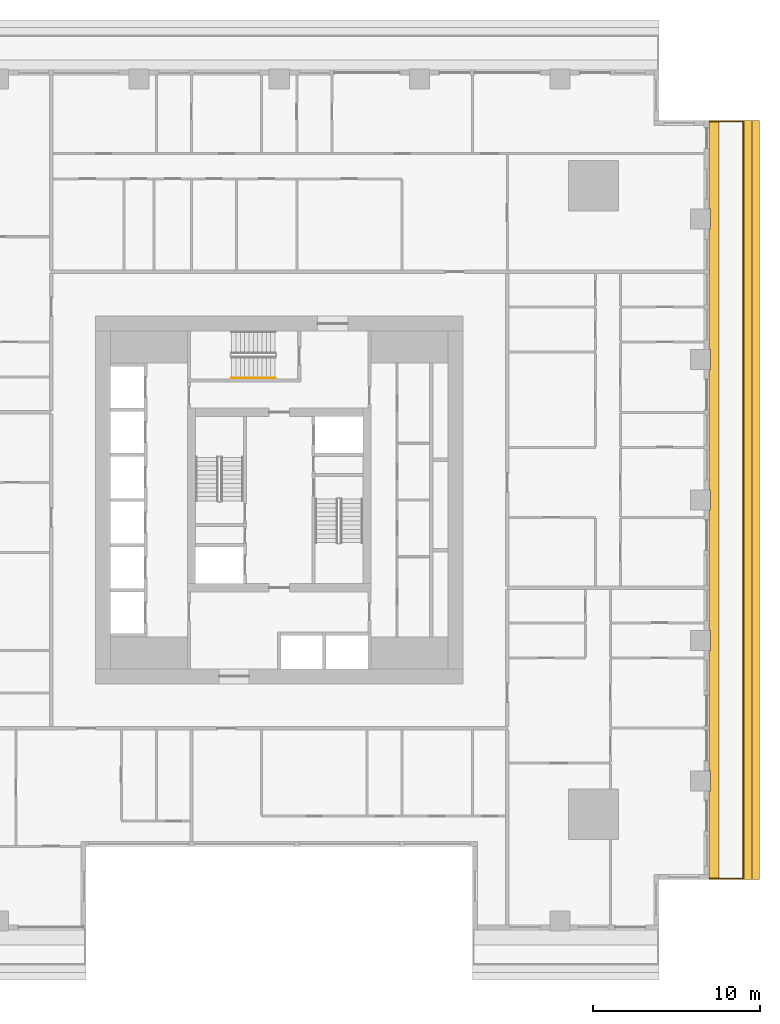
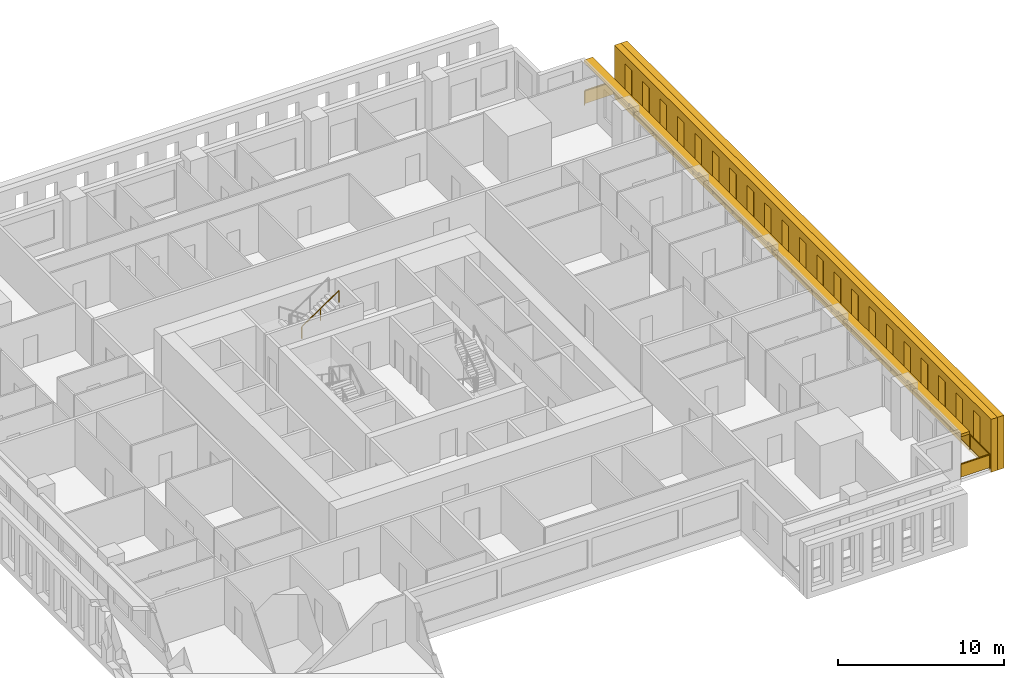
# One storey, part 12 of 14: 3 shading devices, 2 railings.
"""IFC4 building model written with IfcOpenShell, lengths in metres."""

from ifc_helpers import new_model, si_unit, direction, frame, origin, origin_2d, place, context, subcontext, project, spatial, polyline, rectangle, outline, extrude, material, layer, layer_set, type_object, element, save


model = new_model("IFC4")

# Units and contexts
model_context = context("Model", 3, precision=1e-05, world=origin(), true_north=direction((0.0, 1.0)))
body_context = subcontext(model_context, "Body", "Model", "MODEL_VIEW")
ifc_project = project(units=[si_unit("LENGTHUNIT", "METRE"), si_unit("AREAUNIT", "SQUARE_METRE"), si_unit("VOLUMEUNIT", "CUBIC_METRE"), si_unit("PLANEANGLEUNIT", "RADIAN"), si_unit("MASSUNIT", "GRAM", prefix="KILO")], contexts=[model_context])

# Site, building, storey
site_placement = place(None, origin())
site = spatial("IfcSite", under=ifc_project, at=site_placement, CompositionType="ELEMENT")
building_placement = place(site_placement, origin())
building = spatial("IfcBuilding", under=site, at=building_placement, Name="Khepri Terraces", CompositionType="ELEMENT")
storey_placement = place(building_placement, frame((0.0, 0.0, 62.10009765625)))
storey = spatial("IfcBuildingStorey", under=building, at=storey_placement, Name="L14", CompositionType="ELEMENT", Elevation=62.10009765625)

# Railings
ifc_material_1 = material(Name="Stainless steel grade 316", Category="steel")
railing_type_1 = type_object("IfcRailingType", Name="GRD-BAL-1100", PredefinedType="GUARDRAIL", material=ifc_material_1)
railing_1_placement = place(storey_placement, frame((25.719970703125, -22.669921875, 0.0)))
element("IfcRailing", 1, at=railing_1_placement, inside=storey, type_object=railing_type_1, Name="Balcony guard L14 E", PredefinedType="GUARDRAIL", context=body_context, shape_type="SweptSolid", body=[
    extrude(rectangle(XDim=0.050048828125, YDim=0.06005859375, at=origin_2d()), frame((0.0, 0.0, 1.070068359375), z_axis=(1.0, 0.0, 0.0), x_axis=(0.0, 1.0, 0.0)), (0.0, 0.0, 1.0), 2.050048828125),
    extrude(rectangle(XDim=2.0, YDim=0.011962890625, at=origin_2d()), frame((1.02490234375, 0.0, 0.10009765625), z_axis=(0.0, 0.0, 1.0), x_axis=(1.0, 0.0, 0.0)), (0.0, 0.0, 1.0), 0.93994140625),
    extrude(rectangle(XDim=0.050048828125, YDim=0.06005859375, at=origin_2d()), frame((2.050048828125, 0.0, 1.070068359375), z_axis=(0.0, 1.0, 0.0), x_axis=(-1.0, 0.0, 0.0)), (0.0, 0.0, 1.0), 45.33984375),
    extrude(rectangle(XDim=2.336181640625, YDim=0.011962890625, at=origin_2d()), frame((2.050048828125, 1.193115234375, 0.10009765625), z_axis=(0.0, 0.0, 1.0), x_axis=(0.0, 1.0, 0.0)), (0.0, 0.0, 1.0), 0.93994140625),
    extrude(rectangle(XDim=2.336181640625, YDim=0.011962890625, at=origin_2d()), frame((2.050048828125, 3.579345703125, 0.10009765625), z_axis=(0.0, 0.0, 1.0), x_axis=(0.0, 1.0, 0.0)), (0.0, 0.0, 1.0), 0.93994140625),
    extrude(rectangle(XDim=2.336181640625, YDim=0.011962890625, at=origin_2d()), frame((2.050048828125, 5.9658203125, 0.10009765625), z_axis=(0.0, 0.0, 1.0), x_axis=(0.0, 1.0, 0.0)), (0.0, 0.0, 1.0), 0.93994140625),
    extrude(rectangle(XDim=2.336181640625, YDim=0.011962890625, at=origin_2d()), frame((2.050048828125, 8.35205078125, 0.10009765625), z_axis=(0.0, 0.0, 1.0), x_axis=(0.0, 1.0, 0.0)), (0.0, 0.0, 1.0), 0.93994140625),
    extrude(rectangle(XDim=2.336181640625, YDim=0.011962890625, at=origin_2d()), frame((2.050048828125, 10.73828125, 0.10009765625), z_axis=(0.0, 0.0, 1.0), x_axis=(0.0, 1.0, 0.0)), (0.0, 0.0, 1.0), 0.93994140625),
    extrude(rectangle(XDim=2.336181640625, YDim=0.011962890625, at=origin_2d()), frame((2.050048828125, 13.124755859375, 0.10009765625), z_axis=(0.0, 0.0, 1.0), x_axis=(0.0, 1.0, 0.0)), (0.0, 0.0, 1.0), 0.93994140625),
    extrude(rectangle(XDim=2.336181640625, YDim=0.011962890625, at=origin_2d()), frame((2.050048828125, 15.510986328125, 0.10009765625), z_axis=(0.0, 0.0, 1.0), x_axis=(0.0, 1.0, 0.0)), (0.0, 0.0, 1.0), 0.93994140625),
    extrude(rectangle(XDim=2.336181640625, YDim=0.011962890625, at=origin_2d()), frame((2.050048828125, 17.897216796875, 0.10009765625), z_axis=(0.0, 0.0, 1.0), x_axis=(0.0, 1.0, 0.0)), (0.0, 0.0, 1.0), 0.93994140625),
    extrude(rectangle(XDim=2.336181640625, YDim=0.011962890625, at=origin_2d()), frame((2.050048828125, 20.28369140625, 0.10009765625), z_axis=(0.0, 0.0, 1.0), x_axis=(0.0, 1.0, 0.0)), (0.0, 0.0, 1.0), 0.93994140625),
    extrude(rectangle(XDim=2.336181640625, YDim=0.011962890625, at=origin_2d()), frame((2.050048828125, 22.669921875, 0.10009765625), z_axis=(0.0, 0.0, 1.0), x_axis=(0.0, 1.0, 0.0)), (0.0, 0.0, 1.0), 0.93994140625),
    extrude(rectangle(XDim=2.336181640625, YDim=0.011962890625, at=origin_2d()), frame((2.050048828125, 25.05615234375, 0.10009765625), z_axis=(0.0, 0.0, 1.0), x_axis=(0.0, 1.0, 0.0)), (0.0, 0.0, 1.0), 0.93994140625),
    extrude(rectangle(XDim=2.336181640625, YDim=0.011962890625, at=origin_2d()), frame((2.050048828125, 27.442626953125, 0.10009765625), z_axis=(0.0, 0.0, 1.0), x_axis=(0.0, 1.0, 0.0)), (0.0, 0.0, 1.0), 0.93994140625),
    extrude(rectangle(XDim=2.336181640625, YDim=0.011962890625, at=origin_2d()), frame((2.050048828125, 29.828857421875, 0.10009765625), z_axis=(0.0, 0.0, 1.0), x_axis=(0.0, 1.0, 0.0)), (0.0, 0.0, 1.0), 0.93994140625),
    extrude(rectangle(XDim=2.336181640625, YDim=0.011962890625, at=origin_2d()), frame((2.050048828125, 32.215087890625, 0.10009765625), z_axis=(0.0, 0.0, 1.0), x_axis=(0.0, 1.0, 0.0)), (0.0, 0.0, 1.0), 0.93994140625),
    extrude(rectangle(XDim=2.336181640625, YDim=0.011962890625, at=origin_2d()), frame((2.050048828125, 34.6015625, 0.10009765625), z_axis=(0.0, 0.0, 1.0), x_axis=(0.0, 1.0, 0.0)), (0.0, 0.0, 1.0), 0.93994140625),
    extrude(rectangle(XDim=2.336181640625, YDim=0.011962890625, at=origin_2d()), frame((2.050048828125, 36.98779296875, 0.10009765625), z_axis=(0.0, 0.0, 1.0), x_axis=(0.0, 1.0, 0.0)), (0.0, 0.0, 1.0), 0.93994140625),
    extrude(rectangle(XDim=2.336181640625, YDim=0.011962890625, at=origin_2d()), frame((2.050048828125, 39.3740234375, 0.10009765625), z_axis=(0.0, 0.0, 1.0), x_axis=(0.0, 1.0, 0.0)), (0.0, 0.0, 1.0), 0.93994140625),
    extrude(rectangle(XDim=2.336181640625, YDim=0.011962890625, at=origin_2d()), frame((2.050048828125, 41.760498046875, 0.10009765625), z_axis=(0.0, 0.0, 1.0), x_axis=(0.0, 1.0, 0.0)), (0.0, 0.0, 1.0), 0.93994140625),
    extrude(rectangle(XDim=2.336181640625, YDim=0.011962890625, at=origin_2d()), frame((2.050048828125, 44.146728515625, 0.10009765625), z_axis=(0.0, 0.0, 1.0), x_axis=(0.0, 1.0, 0.0)), (0.0, 0.0, 1.0), 0.93994140625),
    extrude(rectangle(XDim=0.050048828125, YDim=0.06005859375, at=origin_2d()), frame((2.050048828125, 45.33984375, 1.070068359375), z_axis=(-1.0, 0.0, 0.0), x_axis=(0.0, -1.0, 0.0)), (0.0, 0.0, 1.0), 2.050048828125),
    extrude(rectangle(XDim=2.0, YDim=0.011962890625, at=origin_2d()), frame((1.02490234375, 45.33984375, 0.10009765625), z_axis=(0.0, 0.0, 1.0), x_axis=(-1.0, 0.0, 0.0)), (0.0, 0.0, 1.0), 0.93994140625),
    extrude(rectangle(XDim=0.050048828125, YDim=0.050048828125, at=origin_2d()), origin(), (0.0, 0.0, 1.0), 1.0400390625),
    extrude(rectangle(XDim=0.050048828125, YDim=0.050048828125, at=origin_2d()), frame((2.050048828125, 0.0, 0.0)), (0.0, 0.0, 1.0), 1.0400390625),
    extrude(rectangle(XDim=0.050048828125, YDim=0.050048828125, at=origin_2d()), frame((2.050048828125, 2.38623046875, 0.0)), (0.0, 0.0, 1.0), 1.0400390625),
    extrude(rectangle(XDim=0.050048828125, YDim=0.050048828125, at=origin_2d()), frame((2.050048828125, 4.772705078125, 0.0)), (0.0, 0.0, 1.0), 1.0400390625),
    extrude(rectangle(XDim=0.050048828125, YDim=0.050048828125, at=origin_2d()), frame((2.050048828125, 7.158935546875, 0.0)), (0.0, 0.0, 1.0), 1.0400390625),
    extrude(rectangle(XDim=0.050048828125, YDim=0.050048828125, at=origin_2d()), frame((2.050048828125, 9.545166015625, 0.0)), (0.0, 0.0, 1.0), 1.0400390625),
    extrude(rectangle(XDim=0.050048828125, YDim=0.050048828125, at=origin_2d()), frame((2.050048828125, 11.931640625, 0.0)), (0.0, 0.0, 1.0), 1.0400390625),
    extrude(rectangle(XDim=0.050048828125, YDim=0.050048828125, at=origin_2d()), frame((2.050048828125, 14.31787109375, 0.0)), (0.0, 0.0, 1.0), 1.0400390625),
    extrude(rectangle(XDim=0.050048828125, YDim=0.050048828125, at=origin_2d()), frame((2.050048828125, 16.7041015625, 0.0)), (0.0, 0.0, 1.0), 1.0400390625),
    extrude(rectangle(XDim=0.050048828125, YDim=0.050048828125, at=origin_2d()), frame((2.050048828125, 19.090576171875, 0.0)), (0.0, 0.0, 1.0), 1.0400390625),
    extrude(rectangle(XDim=0.050048828125, YDim=0.050048828125, at=origin_2d()), frame((2.050048828125, 21.476806640625, 0.0)), (0.0, 0.0, 1.0), 1.0400390625),
    extrude(rectangle(XDim=0.050048828125, YDim=0.050048828125, at=origin_2d()), frame((2.050048828125, 23.863037109375, 0.0)), (0.0, 0.0, 1.0), 1.0400390625),
    extrude(rectangle(XDim=0.050048828125, YDim=0.050048828125, at=origin_2d()), frame((2.050048828125, 26.249267578125, 0.0)), (0.0, 0.0, 1.0), 1.0400390625),
    extrude(rectangle(XDim=0.050048828125, YDim=0.050048828125, at=origin_2d()), frame((2.050048828125, 28.6357421875, 0.0)), (0.0, 0.0, 1.0), 1.0400390625),
    extrude(rectangle(XDim=0.050048828125, YDim=0.050048828125, at=origin_2d()), frame((2.050048828125, 31.02197265625, 0.0)), (0.0, 0.0, 1.0), 1.0400390625),
    extrude(rectangle(XDim=0.050048828125, YDim=0.050048828125, at=origin_2d()), frame((2.050048828125, 33.408203125, 0.0)), (0.0, 0.0, 1.0), 1.0400390625),
    extrude(rectangle(XDim=0.050048828125, YDim=0.050048828125, at=origin_2d()), frame((2.050048828125, 35.794677734375, 0.0)), (0.0, 0.0, 1.0), 1.0400390625),
    extrude(rectangle(XDim=0.050048828125, YDim=0.050048828125, at=origin_2d()), frame((2.050048828125, 38.180908203125, 0.0)), (0.0, 0.0, 1.0), 1.0400390625),
    extrude(rectangle(XDim=0.050048828125, YDim=0.050048828125, at=origin_2d()), frame((2.050048828125, 40.567138671875, 0.0)), (0.0, 0.0, 1.0), 1.0400390625),
    extrude(rectangle(XDim=0.050048828125, YDim=0.050048828125, at=origin_2d()), frame((2.050048828125, 42.95361328125, 0.0)), (0.0, 0.0, 1.0), 1.0400390625),
    extrude(rectangle(XDim=0.050048828125, YDim=0.050048828125, at=origin_2d()), frame((2.050048828125, 45.33984375, 0.0)), (0.0, 0.0, 1.0), 1.0400390625),
    extrude(rectangle(XDim=0.050048828125, YDim=0.050048828125, at=origin_2d()), frame((0.0, 45.33984375, 0.0)), (0.0, 0.0, 1.0), 1.0400390625),
])
ifc_material_2 = material(Name="Stainless steel 316", Category="steel")
railing_type_2 = type_object("IfcRailingType", Name="RL-CORE-HANDRAIL", PredefinedType="HANDRAIL", material=ifc_material_2)
railing_2_placement = place(storey_placement, frame((-2.85009765625, 7.300048828125, 2.127197265625)))
element("IfcRailing", 2, at=railing_2_placement, inside=storey, type_object=railing_type_2, Name="L14 ST-3 stair handrail 2", PredefinedType="HANDRAIL", context=body_context, shape_type="SweptSolid", body=[
    extrude(rectangle(XDim=0.050048828125, YDim=0.050048828125, at=origin_2d()), frame((0.0, 0.0, 0.875), z_axis=(0.826240473404, 0.0, 0.563317565952), x_axis=(0.0, 1.0, 0.0)), (0.0, 0.0, 1.0), 3.14697265625),
    extrude(rectangle(XDim=0.050048828125, YDim=0.050048828125, at=origin_2d()), origin(), (0.0, 0.0, 1.0), 0.849853515625),
    extrude(rectangle(XDim=0.050048828125, YDim=0.050048828125, at=origin_2d()), frame((1.300048828125, 0.0, 0.88623046875)), (0.0, 0.0, 1.0), 0.849853515625),
    extrude(rectangle(XDim=0.050048828125, YDim=0.050048828125, at=origin_2d()), frame((2.60009765625, 0.0, 1.772705078125)), (0.0, 0.0, 1.0), 0.849853515625),
])

# Shading devices
ifc_material_3 = material(Name="Precast concrete C50/60 warm stone", Category="masonry")
shading_device_type_1 = type_object("IfcShadingDeviceType", Name="SCR-CELL-INNER-450", PredefinedType="USERDEFINED", material=ifc_material_3)
shading_device_1_placement = place(storey_placement, frame((27.820068359375, -22.719970703125, -0.25), z_axis=(1.0, 0.0, 0.0), x_axis=(0.0, 1.0, 0.0)))
element("IfcShadingDevice", 3, at=shading_device_1_placement, inside=storey, type_object=shading_device_type_1, Name="Cell screen L14 E in", ObjectType="SCREEN", PredefinedType="USERDEFINED", context=body_context, shape_type="SweptSolid", body=[
    extrude(outline(polyline([(0.0, 0.0), (45.43994140625, 0.0), (45.43994140625, 3.89990234375), (0.0, 3.89990234375), (0.0, 0.0)]), holes=[polyline([(1.318359375, 0.699951171875), (2.12158203125, 0.699951171875), (2.12158203125, 3.300048828125), (1.318359375, 3.300048828125), (1.318359375, 0.699951171875)]), polyline([(3.41845703125, 0.699951171875), (4.2216796875, 0.699951171875), (4.2216796875, 3.300048828125), (3.41845703125, 3.300048828125), (3.41845703125, 0.699951171875)]), polyline([(5.518310546875, 0.699951171875), (6.321533203125, 0.699951171875), (6.321533203125, 3.300048828125), (5.518310546875, 3.300048828125), (5.518310546875, 0.699951171875)]), polyline([(7.618408203125, 0.699951171875), (8.421630859375, 0.699951171875), (8.421630859375, 3.300048828125), (7.618408203125, 3.300048828125), (7.618408203125, 0.699951171875)]), polyline([(9.718505859375, 0.699951171875), (10.521484375, 0.699951171875), (10.521484375, 3.300048828125), (9.718505859375, 3.300048828125), (9.718505859375, 0.699951171875)]), polyline([(11.818359375, 0.699951171875), (12.62158203125, 0.699951171875), (12.62158203125, 3.300048828125), (11.818359375, 3.300048828125), (11.818359375, 0.699951171875)]), polyline([(13.91845703125, 0.699951171875), (14.7216796875, 0.699951171875), (14.7216796875, 3.300048828125), (13.91845703125, 3.300048828125), (13.91845703125, 0.699951171875)]), polyline([(16.018310546875, 0.699951171875), (16.821533203125, 0.699951171875), (16.821533203125, 3.300048828125), (16.018310546875, 3.300048828125), (16.018310546875, 0.699951171875)]), polyline([(18.118408203125, 0.699951171875), (18.921630859375, 0.699951171875), (18.921630859375, 3.300048828125), (18.118408203125, 3.300048828125), (18.118408203125, 0.699951171875)]), polyline([(20.218505859375, 0.699951171875), (21.021484375, 0.699951171875), (21.021484375, 3.300048828125), (20.218505859375, 3.300048828125), (20.218505859375, 0.699951171875)]), polyline([(22.318359375, 0.699951171875), (23.12158203125, 0.699951171875), (23.12158203125, 3.300048828125), (22.318359375, 3.300048828125), (22.318359375, 0.699951171875)]), polyline([(24.41845703125, 0.699951171875), (25.2216796875, 0.699951171875), (25.2216796875, 3.300048828125), (24.41845703125, 3.300048828125), (24.41845703125, 0.699951171875)]), polyline([(26.518310546875, 0.699951171875), (27.321533203125, 0.699951171875), (27.321533203125, 3.300048828125), (26.518310546875, 3.300048828125), (26.518310546875, 0.699951171875)]), polyline([(28.618408203125, 0.699951171875), (29.421630859375, 0.699951171875), (29.421630859375, 3.300048828125), (28.618408203125, 3.300048828125), (28.618408203125, 0.699951171875)]), polyline([(30.718505859375, 0.699951171875), (31.521484375, 0.699951171875), (31.521484375, 3.300048828125), (30.718505859375, 3.300048828125), (30.718505859375, 0.699951171875)]), polyline([(32.818359375, 0.699951171875), (33.62158203125, 0.699951171875), (33.62158203125, 3.300048828125), (32.818359375, 3.300048828125), (32.818359375, 0.699951171875)]), polyline([(34.91845703125, 0.699951171875), (35.7216796875, 0.699951171875), (35.7216796875, 3.300048828125), (34.91845703125, 3.300048828125), (34.91845703125, 0.699951171875)]), polyline([(37.018310546875, 0.699951171875), (37.821533203125, 0.699951171875), (37.821533203125, 3.300048828125), (37.018310546875, 3.300048828125), (37.018310546875, 0.699951171875)]), polyline([(39.118408203125, 0.699951171875), (39.921630859375, 0.699951171875), (39.921630859375, 3.300048828125), (39.118408203125, 3.300048828125), (39.118408203125, 0.699951171875)]), polyline([(41.218505859375, 0.699951171875), (42.021484375, 0.699951171875), (42.021484375, 3.300048828125), (41.218505859375, 3.300048828125), (41.218505859375, 0.699951171875)]), polyline([(43.318359375, 0.699951171875), (44.12158203125, 0.699951171875), (44.12158203125, 3.300048828125), (43.318359375, 3.300048828125), (43.318359375, 0.699951171875)])]), origin(), (0.0, 0.0, 1.0), 0.449951171875),
])
shading_device_type_2 = type_object("IfcShadingDeviceType", Name="SCR-CELL-OUTER-450", PredefinedType="USERDEFINED", material=ifc_material_3)
shading_device_2_placement = place(storey_placement, frame((28.27001953125, -22.719970703125, -0.25), z_axis=(1.0, 0.0, 0.0), x_axis=(0.0, 1.0, 0.0)))
element("IfcShadingDevice", 4, at=shading_device_2_placement, inside=storey, type_object=shading_device_type_2, Name="Cell screen L14 E out", ObjectType="SCREEN", PredefinedType="USERDEFINED", context=body_context, shape_type="SweptSolid", body=[
    extrude(outline(polyline([(0.0, 0.0), (45.43994140625, 0.0), (45.43994140625, 3.89990234375), (0.0, 3.89990234375), (0.0, 0.0)]), holes=[polyline([(0.968505859375, 0.449951171875), (2.4716796875, 0.449951171875), (2.4716796875, 3.550048828125), (0.968505859375, 3.550048828125), (0.968505859375, 0.449951171875)]), polyline([(3.068359375, 0.449951171875), (4.571533203125, 0.449951171875), (4.571533203125, 3.550048828125), (3.068359375, 3.550048828125), (3.068359375, 0.449951171875)]), polyline([(5.16845703125, 0.449951171875), (6.671630859375, 0.449951171875), (6.671630859375, 3.550048828125), (5.16845703125, 3.550048828125), (5.16845703125, 0.449951171875)]), polyline([(7.268310546875, 0.449951171875), (8.771484375, 0.449951171875), (8.771484375, 3.550048828125), (7.268310546875, 3.550048828125), (7.268310546875, 0.449951171875)]), polyline([(9.368408203125, 0.449951171875), (10.87158203125, 0.449951171875), (10.87158203125, 3.550048828125), (9.368408203125, 3.550048828125), (9.368408203125, 0.449951171875)]), polyline([(11.468505859375, 0.449951171875), (12.9716796875, 0.449951171875), (12.9716796875, 3.550048828125), (11.468505859375, 3.550048828125), (11.468505859375, 0.449951171875)]), polyline([(13.568359375, 0.449951171875), (15.071533203125, 0.449951171875), (15.071533203125, 3.550048828125), (13.568359375, 3.550048828125), (13.568359375, 0.449951171875)]), polyline([(15.66845703125, 0.449951171875), (17.171630859375, 0.449951171875), (17.171630859375, 3.550048828125), (15.66845703125, 3.550048828125), (15.66845703125, 0.449951171875)]), polyline([(17.768310546875, 0.449951171875), (19.271484375, 0.449951171875), (19.271484375, 3.550048828125), (17.768310546875, 3.550048828125), (17.768310546875, 0.449951171875)]), polyline([(19.868408203125, 0.449951171875), (21.37158203125, 0.449951171875), (21.37158203125, 3.550048828125), (19.868408203125, 3.550048828125), (19.868408203125, 0.449951171875)]), polyline([(21.968505859375, 0.449951171875), (23.4716796875, 0.449951171875), (23.4716796875, 3.550048828125), (21.968505859375, 3.550048828125), (21.968505859375, 0.449951171875)]), polyline([(24.068359375, 0.449951171875), (25.571533203125, 0.449951171875), (25.571533203125, 3.550048828125), (24.068359375, 3.550048828125), (24.068359375, 0.449951171875)]), polyline([(26.16845703125, 0.449951171875), (27.671630859375, 0.449951171875), (27.671630859375, 3.550048828125), (26.16845703125, 3.550048828125), (26.16845703125, 0.449951171875)]), polyline([(28.268310546875, 0.449951171875), (29.771484375, 0.449951171875), (29.771484375, 3.550048828125), (28.268310546875, 3.550048828125), (28.268310546875, 0.449951171875)]), polyline([(30.368408203125, 0.449951171875), (31.87158203125, 0.449951171875), (31.87158203125, 3.550048828125), (30.368408203125, 3.550048828125), (30.368408203125, 0.449951171875)]), polyline([(32.468505859375, 0.449951171875), (33.9716796875, 0.449951171875), (33.9716796875, 3.550048828125), (32.468505859375, 3.550048828125), (32.468505859375, 0.449951171875)]), polyline([(34.568359375, 0.449951171875), (36.071533203125, 0.449951171875), (36.071533203125, 3.550048828125), (34.568359375, 3.550048828125), (34.568359375, 0.449951171875)]), polyline([(36.66845703125, 0.449951171875), (38.171630859375, 0.449951171875), (38.171630859375, 3.550048828125), (36.66845703125, 3.550048828125), (36.66845703125, 0.449951171875)]), polyline([(38.768310546875, 0.449951171875), (40.271484375, 0.449951171875), (40.271484375, 3.550048828125), (38.768310546875, 3.550048828125), (38.768310546875, 0.449951171875)]), polyline([(40.868408203125, 0.449951171875), (42.37158203125, 0.449951171875), (42.37158203125, 3.550048828125), (40.868408203125, 3.550048828125), (40.868408203125, 0.449951171875)]), polyline([(42.968505859375, 0.449951171875), (44.4716796875, 0.449951171875), (44.4716796875, 3.550048828125), (42.968505859375, 3.550048828125), (42.968505859375, 0.449951171875)])]), origin(), (0.0, 0.0, 1.0), 0.449951171875),
])
ifc_layer = layer(ifc_material_3, 0.199951171875, Name="Precast concrete C50/60 warm stone", Category="masonry")
ifc_layer_set = layer_set([ifc_layer], Name="Precast concrete C50/60 warm stone")
shading_device_type_3 = type_object("IfcShadingDeviceType", Name="SSH-BAND-STONE-200-N", PredefinedType="USERDEFINED", material=ifc_layer_set)
shading_device_3_placement = place(storey_placement, frame((0.0, 0.0, 3.099853515625)))
element("IfcShadingDevice", 5, at=shading_device_3_placement, inside=storey, type_object=shading_device_type_3, Name="Sunshade band L14 E", ObjectType="SUNSHADE", PredefinedType="USERDEFINED", context=body_context, shape_type="SweptSolid", body=[
    extrude(outline(polyline([(25.719970703125, -17.39990234375), (25.719970703125, -22.719970703125), (26.320068359375, -22.719970703125), (26.320068359375, 22.719970703125), (25.719970703125, 22.719970703125), (25.719970703125, 17.39990234375), (25.800048828125, 17.39990234375), (25.800048828125, 16.199951171875), (25.719970703125, 16.199951171875), (25.719970703125, 9.0), (25.800048828125, 9.0), (25.800048828125, 7.800048828125), (25.719970703125, 7.800048828125), (25.719970703125, 0.60009765625), (25.800048828125, 0.60009765625), (25.800048828125, -0.60009765625), (25.719970703125, -0.60009765625), (25.719970703125, -7.800048828125), (25.800048828125, -7.800048828125), (25.800048828125, -9.0), (25.719970703125, -9.0), (25.719970703125, -16.199951171875), (25.800048828125, -16.199951171875), (25.800048828125, -17.39990234375), (25.719970703125, -17.39990234375)])), origin(), (0.0, 0.0, 1.0), 0.199951171875),
])

save(model, "model.ifc")
